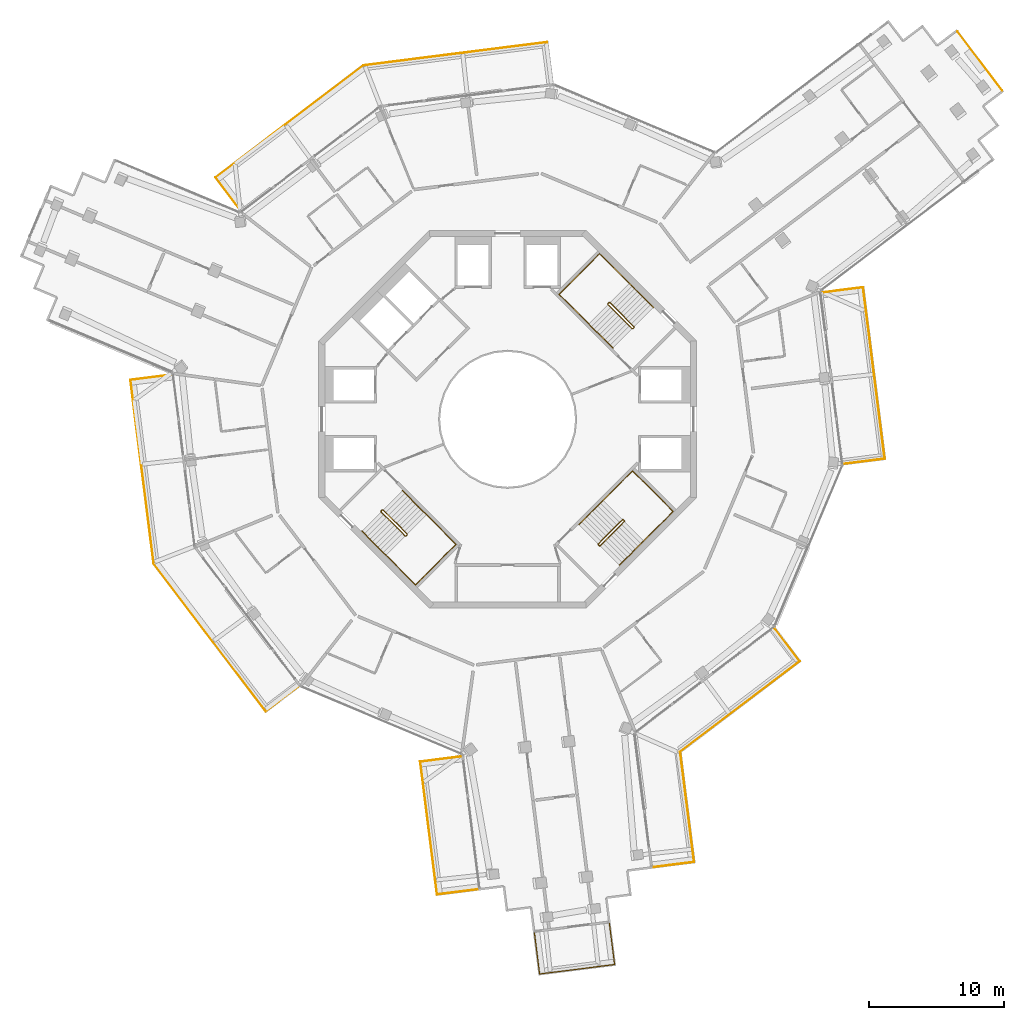
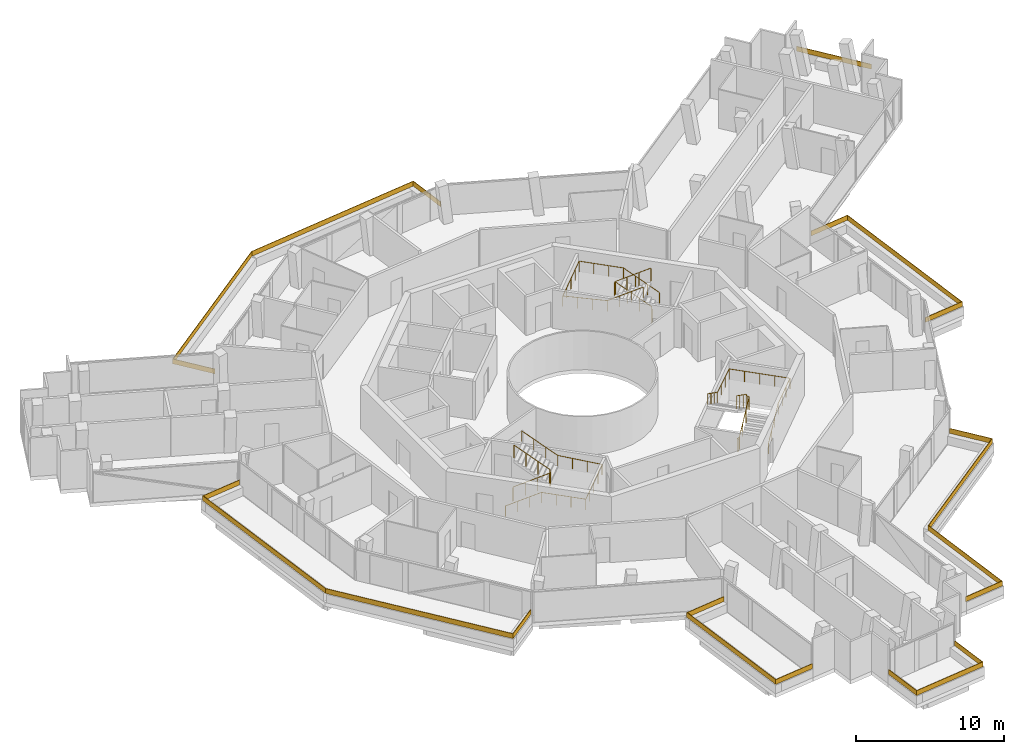
# One storey, part 26 of 26: 13 railings.
"""IFC4 building model written with IfcOpenShell, lengths in metres."""

from ifc_helpers import new_model, si_unit, direction, frame, origin, origin_2d, place, context, subcontext, project, spatial, polyline, rectangle, circle, outline, extrude, material, layer, layer_set, type_object, element, save


model = new_model("IFC4")

# Units and contexts
model_context = context("Model", 3, precision=1e-05, world=origin(), true_north=direction((0.0, 1.0)))
body_context = subcontext(model_context, "Body", "Model", "MODEL_VIEW")
ifc_project = project(units=[si_unit("LENGTHUNIT", "METRE"), si_unit("AREAUNIT", "SQUARE_METRE"), si_unit("VOLUMEUNIT", "CUBIC_METRE"), si_unit("PLANEANGLEUNIT", "RADIAN"), si_unit("MASSUNIT", "GRAM", prefix="KILO")], contexts=[model_context])

# Site, building, storey
site_placement = place(None, origin())
site = spatial("IfcSite", under=ifc_project, at=site_placement, CompositionType="ELEMENT")
building_placement = place(site_placement, origin())
building = spatial("IfcBuilding", under=site, at=building_placement, Name="Verdalira Terraces Hotel", CompositionType="ELEMENT")
storey_placement = place(building_placement, frame((0.0, 0.0, 306.5)))
storey = spatial("IfcBuildingStorey", under=building, at=storey_placement, Name="L76", CompositionType="ELEMENT", Elevation=306.5)

# Railings
ifc_material_1 = material(Name="Laminated glass", Category="glass")
ifc_layer = layer(ifc_material_1, 0.0400390625)
ifc_layer_set = layer_set([ifc_layer], Name="Balcony glass guard 400")
railing_type_1 = type_object("IfcRailingType", Name="Balcony glass guard 400", PredefinedType="GUARDRAIL", material=ifc_layer_set)
railing_1_placement = place(storey_placement, frame((0.0, 0.0, 0.699951)))
element("IfcRailing", 1, at=railing_1_placement, inside=storey, type_object=railing_type_1, Name="Balcony glass guard", PredefinedType="GUARDRAIL", context=body_context, shape_type="SweptSolid", body=[
    extrude(outline(polyline([(-27.922363, 2.90332), (-26.20459, -10.693848), (-17.918457, -21.610596), (-15.46582, -19.749023), (-15.44165, -19.781006), (-17.926025, -21.666748), (-26.24292, -10.709473), (-27.967041, 2.937988), (-24.872559, 3.328857), (-24.867676, 3.289307), (-27.922363, 2.90332)])), origin(), (0.0, 0.0, 1.0), 0.400146),
])
railing_2_placement = place(storey_placement, frame((0.0, 0.0, 0.699951)))
element("IfcRailing", 2, at=railing_2_placement, inside=storey, type_object=railing_type_1, Name="Balcony glass guard", PredefinedType="GUARDRAIL", context=body_context, shape_type="SweptSolid", body=[
    extrude(outline(polyline([(-6.448975, -25.386719), (-5.211182, -35.186523), (-2.15625, -34.800537), (-2.151367, -34.840088), (-5.24585, -35.231201), (-6.493652, -25.352051), (-3.399414, -24.961182), (-3.394287, -25.000977), (-6.448975, -25.386719)])), origin(), (0.0, 0.0, 1.0), 0.400146),
])
railing_3_placement = place(storey_placement, frame((0.0, 0.0, 0.699951)))
element("IfcRailing", 3, at=railing_3_placement, inside=storey, type_object=railing_type_1, Name="Balcony glass guard", PredefinedType="GUARDRAIL", context=body_context, shape_type="SweptSolid", body=[
    extrude(outline(polyline([(2.387695, -41.080566), (7.903809, -40.383789), (7.517822, -37.328857), (7.557617, -37.323975), (7.948486, -40.418457), (2.353027, -41.125244), (1.961914, -38.030762), (2.001709, -38.025879), (2.387695, -41.080566)])), origin(), (0.0, 0.0, 1.0), 0.400146),
])
railing_4_placement = place(storey_placement, frame((0.0, 0.0, 0.699951)))
element("IfcRailing", 4, at=railing_4_placement, inside=storey, type_object=railing_type_1, Name="Balcony glass guard", PredefinedType="GUARDRAIL", context=body_context, shape_type="SweptSolid", body=[
    extrude(outline(polyline([(13.797852, -32.785156), (12.767822, -24.630615), (21.610596, -17.918457), (19.749023, -15.46582), (19.781006, -15.44165), (21.666748, -17.926025), (12.810303, -24.648438), (13.842529, -32.819824), (10.748047, -33.210693), (10.743164, -33.170898), (13.797852, -32.785156)])), origin(), (0.0, 0.0, 1.0), 0.400146),
])
railing_5_placement = place(storey_placement, frame((0.0, 0.0, 0.699951)))
element("IfcRailing", 5, at=railing_5_placement, inside=storey, type_object=railing_type_1, Name="Balcony glass guard", PredefinedType="GUARDRAIL", context=body_context, shape_type="SweptSolid", body=[
    extrude(outline(polyline([(27.922363, -2.90332), (26.323242, 9.756104), (23.268311, 9.370117), (23.263428, 9.409912), (26.35791, 9.800781), (27.967041, -2.937988), (24.872559, -3.328857), (24.867676, -3.289307), (27.922363, -2.90332)])), origin(), (0.0, 0.0, 1.0), 0.400146),
])
railing_6_placement = place(storey_placement, frame((0.0, 0.0, 0.699951)))
element("IfcRailing", 6, at=railing_6_placement, inside=storey, type_object=railing_type_1, Name="Balcony glass guard", PredefinedType="GUARDRAIL", context=body_context, shape_type="SweptSolid", body=[
    extrude(outline(polyline([(2.90332, 27.922363), (-10.693848, 26.20459), (-21.610596, 17.918457), (-19.749023, 15.46582), (-19.781006, 15.44165), (-21.666748, 17.926025), (-10.709473, 26.24292), (2.937988, 27.967041), (3.328857, 24.872559), (3.289307, 24.867676), (2.90332, 27.922363)])), origin(), (0.0, 0.0, 1.0), 0.400146),
])
railing_7_placement = place(storey_placement, frame((34.988281, 26.557617, 0.699951), z_axis=(0.0, 0.0, 1.0), x_axis=(-0.604599115, 0.796529918, 0.0)))
element("IfcRailing", 7, at=railing_7_placement, inside=storey, type_object=railing_type_1, Name="Loggia glass guard", PredefinedType="GUARDRAIL", context=body_context, shape_type="SweptSolid", body=[
    extrude(rectangle(XDim=5.5, YDim=0.040039, at=origin_2d()), origin(), (0.0, 0.0, 1.0), 0.399902),
])
ifc_material_2 = material(Name="Stainless steel", Category="steel")
railing_type_2 = type_object("IfcRailingType", Name="Stair guard 1100", PredefinedType="GUARDRAIL", material=ifc_material_2)
railing_8_placement = place(storey_placement, frame((9.369141, 6.78833, 0.0)))
element("IfcRailing", 8, at=railing_8_placement, inside=storey, type_object=railing_type_2, Name="L76 ST1 stair guard 1", PredefinedType="GUARDRAIL", context=body_context, shape_type="SweptSolid", body=[
    extrude(circle(Radius=0.023926, at=origin_2d()), frame((0.0, 0.0, 1.076172), z_axis=(-0.707106781, -0.707106781, 0.0), x_axis=(0.707106781, -0.707106781, 0.0)), (0.0, 0.0, 1.0), 0.100098),
    extrude(circle(Radius=0.023926, at=origin_2d()), frame((-0.070801, -0.070801, 1.076172), z_axis=(0.300162975, 0.599290904, 0.742127078), x_axis=(-0.894118129, 0.447831187, 0.0)), (0.0, 0.0, 1.0), 0.23584),
    extrude(circle(Radius=0.023926, at=origin_2d()), frame((0.0, 0.070557, 1.250977), z_axis=(-0.599637504, 0.599637504, 0.52997144), x_axis=(-0.707106781, -0.707106781, 0.0)), (0.0, 0.0, 1.0), 2.97168),
    extrude(circle(Radius=0.023926, at=origin_2d()), frame((-1.781982, 1.852539, 2.826172), z_axis=(-1.0, 0.0, 0.0), x_axis=(0.0, -1.0, 0.0)), (0.0, 0.0, 1.0), 0.070557),
    extrude(circle(Radius=0.023926, at=origin_2d()), frame((-1.852539, 1.852539, 2.826172), z_axis=(-0.707106781, -0.707106781, 0.0), x_axis=(0.707106781, -0.707106781, 0.0)), (0.0, 0.0, 1.0), 0.100098),
    extrude(circle(Radius=0.023926, at=origin_2d()), frame((-1.92334, 1.781738, 2.826172), z_axis=(0.0, -0.373842709, 0.927492118), x_axis=(1.0, 0.0, 0.0)), (0.0, 0.0, 1.0), 0.188721),
    extrude(circle(Radius=0.023926, at=origin_2d()), frame((-1.92334, 1.711182, 3.000977), z_axis=(0.599637504, -0.599637504, 0.52997144), x_axis=(0.707106781, 0.707106781, 0.0)), (0.0, 0.0, 1.0), 2.97168),
    extrude(circle(Radius=0.020996, at=origin_2d()), origin(), (0.0, 0.0, 1.0), 1.052002),
    extrude(circle(Radius=0.020996, at=origin_2d()), frame((-0.070801, -0.070801, 0.0)), (0.0, 0.0, 1.0), 1.052002),
    extrude(circle(Radius=0.020996, at=origin_2d()), frame((0.0, 0.070557, 0.175049)), (0.0, 0.0, 1.0), 1.052002),
    extrude(circle(Radius=0.020996, at=origin_2d()), frame((-0.593994, 0.664551, 0.699951)), (0.0, 0.0, 1.0), 1.052002),
    extrude(circle(Radius=0.020996, at=origin_2d()), frame((-1.187988, 1.258545, 1.225098)), (0.0, 0.0, 1.0), 1.052002),
    extrude(circle(Radius=0.020996, at=origin_2d()), frame((-1.781982, 1.852539, 1.75)), (0.0, 0.0, 1.0), 1.052002),
    extrude(circle(Radius=0.020996, at=origin_2d()), frame((-1.852539, 1.852539, 1.75)), (0.0, 0.0, 1.0), 1.052002),
    extrude(circle(Radius=0.020996, at=origin_2d()), frame((-1.92334, 1.781738, 1.75)), (0.0, 0.0, 1.0), 1.052002),
    extrude(circle(Radius=0.020996, at=origin_2d()), frame((-1.92334, 1.711182, 1.925049)), (0.0, 0.0, 1.0), 1.052002),
    extrude(circle(Radius=0.020996, at=origin_2d()), frame((-1.329346, 1.117188, 2.449951)), (0.0, 0.0, 1.0), 1.052002),
    extrude(circle(Radius=0.020996, at=origin_2d()), frame((-0.735352, 0.523193, 2.975098)), (0.0, 0.0, 1.0), 1.052002),
    extrude(circle(Radius=0.020996, at=origin_2d()), frame((-0.141357, -0.070801, 3.5)), (0.0, 0.0, 1.0), 1.052002),
])
railing_9_placement = place(storey_placement, frame((-9.369141, -6.78833, 0.0)))
element("IfcRailing", 9, at=railing_9_placement, inside=storey, type_object=railing_type_2, Name="L76 ST2 stair guard 1", PredefinedType="GUARDRAIL", context=body_context, shape_type="SweptSolid", body=[
    extrude(circle(Radius=0.023926, at=origin_2d()), frame((0.0, 0.0, 1.076172), z_axis=(0.707106781, 0.707106781, 0.0), x_axis=(-0.707106781, 0.707106781, 0.0)), (0.0, 0.0, 1.0), 0.100098),
    extrude(circle(Radius=0.023926, at=origin_2d()), frame((0.070801, 0.070801, 1.076172), z_axis=(-0.300162975, -0.599290904, 0.742127078), x_axis=(0.894118129, -0.447831187, 0.0)), (0.0, 0.0, 1.0), 0.23584),
    extrude(circle(Radius=0.023926, at=origin_2d()), frame((0.0, -0.070557, 1.250977), z_axis=(0.599637504, -0.599637504, 0.52997144), x_axis=(0.707106781, 0.707106781, 0.0)), (0.0, 0.0, 1.0), 2.97168),
    extrude(circle(Radius=0.023926, at=origin_2d()), frame((1.781982, -1.852539, 2.826172), z_axis=(1.0, 0.0, 0.0), x_axis=(0.0, 1.0, 0.0)), (0.0, 0.0, 1.0), 0.070557),
    extrude(circle(Radius=0.023926, at=origin_2d()), frame((1.852539, -1.852539, 2.826172), z_axis=(0.707106781, 0.707106781, 0.0), x_axis=(-0.707106781, 0.707106781, 0.0)), (0.0, 0.0, 1.0), 0.100098),
    extrude(circle(Radius=0.023926, at=origin_2d()), frame((1.92334, -1.781738, 2.826172), z_axis=(0.0, 0.373842709, 0.927492118), x_axis=(-1.0, 0.0, 0.0)), (0.0, 0.0, 1.0), 0.188721),
    extrude(circle(Radius=0.023926, at=origin_2d()), frame((1.92334, -1.711182, 3.000977), z_axis=(-0.599637504, 0.599637504, 0.52997144), x_axis=(-0.707106781, -0.707106781, 0.0)), (0.0, 0.0, 1.0), 2.97168),
    extrude(circle(Radius=0.020996, at=origin_2d()), origin(), (0.0, 0.0, 1.0), 1.052002),
    extrude(circle(Radius=0.020996, at=origin_2d()), frame((0.070801, 0.070801, 0.0)), (0.0, 0.0, 1.0), 1.052002),
    extrude(circle(Radius=0.020996, at=origin_2d()), frame((0.0, -0.070557, 0.175049)), (0.0, 0.0, 1.0), 1.052002),
    extrude(circle(Radius=0.020996, at=origin_2d()), frame((0.593994, -0.664551, 0.699951)), (0.0, 0.0, 1.0), 1.052002),
    extrude(circle(Radius=0.020996, at=origin_2d()), frame((1.187988, -1.258545, 1.225098)), (0.0, 0.0, 1.0), 1.052002),
    extrude(circle(Radius=0.020996, at=origin_2d()), frame((1.781982, -1.852539, 1.75)), (0.0, 0.0, 1.0), 1.052002),
    extrude(circle(Radius=0.020996, at=origin_2d()), frame((1.852539, -1.852539, 1.75)), (0.0, 0.0, 1.0), 1.052002),
    extrude(circle(Radius=0.020996, at=origin_2d()), frame((1.92334, -1.781738, 1.75)), (0.0, 0.0, 1.0), 1.052002),
    extrude(circle(Radius=0.020996, at=origin_2d()), frame((1.92334, -1.711182, 1.925049)), (0.0, 0.0, 1.0), 1.052002),
    extrude(circle(Radius=0.020996, at=origin_2d()), frame((1.329346, -1.117188, 2.449951)), (0.0, 0.0, 1.0), 1.052002),
    extrude(circle(Radius=0.020996, at=origin_2d()), frame((0.735352, -0.523193, 2.975098)), (0.0, 0.0, 1.0), 1.052002),
    extrude(circle(Radius=0.020996, at=origin_2d()), frame((0.141357, 0.070801, 3.5)), (0.0, 0.0, 1.0), 1.052002),
])
railing_10_placement = place(storey_placement, frame((6.78833, -9.369141, 0.0)))
element("IfcRailing", 10, at=railing_10_placement, inside=storey, type_object=railing_type_2, Name="L76 ST3 stair guard 1", PredefinedType="GUARDRAIL", context=body_context, shape_type="SweptSolid", body=[
    extrude(circle(Radius=0.023926, at=origin_2d()), frame((0.0, 0.0, 1.076172), z_axis=(-0.707106781, 0.707106781, 0.0), x_axis=(-0.707106781, -0.707106781, 0.0)), (0.0, 0.0, 1.0), 0.100098),
    extrude(circle(Radius=0.023926, at=origin_2d()), frame((-0.070801, 0.070801, 1.076172), z_axis=(0.599290904, -0.300162975, 0.742127078), x_axis=(0.447831187, 0.894118129, 0.0)), (0.0, 0.0, 1.0), 0.23584),
    extrude(circle(Radius=0.023926, at=origin_2d()), frame((0.070557, 0.0, 1.250977), z_axis=(0.599637504, 0.599637504, 0.52997144), x_axis=(-0.707106781, 0.707106781, 0.0)), (0.0, 0.0, 1.0), 2.97168),
    extrude(circle(Radius=0.023926, at=origin_2d()), frame((1.852539, 1.781982, 2.826172), z_axis=(0.0, 1.0, 0.0), x_axis=(-1.0, 0.0, 0.0)), (0.0, 0.0, 1.0), 0.070557),
    extrude(circle(Radius=0.023926, at=origin_2d()), frame((1.852539, 1.852539, 2.826172), z_axis=(-0.707106781, 0.707106781, 0.0), x_axis=(-0.707106781, -0.707106781, 0.0)), (0.0, 0.0, 1.0), 0.100098),
    extrude(circle(Radius=0.023926, at=origin_2d()), frame((1.781738, 1.92334, 2.826172), z_axis=(-0.373842709, 0.0, 0.927492118), x_axis=(0.0, -1.0, 0.0)), (0.0, 0.0, 1.0), 0.188721),
    extrude(circle(Radius=0.023926, at=origin_2d()), frame((1.711182, 1.92334, 3.000977), z_axis=(-0.599637504, -0.599637504, 0.52997144), x_axis=(0.707106781, -0.707106781, 0.0)), (0.0, 0.0, 1.0), 2.97168),
    extrude(circle(Radius=0.020996, at=origin_2d()), origin(), (0.0, 0.0, 1.0), 1.052002),
    extrude(circle(Radius=0.020996, at=origin_2d()), frame((-0.070801, 0.070801, 0.0)), (0.0, 0.0, 1.0), 1.052002),
    extrude(circle(Radius=0.020996, at=origin_2d()), frame((0.070557, 0.0, 0.175049)), (0.0, 0.0, 1.0), 1.052002),
    extrude(circle(Radius=0.020996, at=origin_2d()), frame((0.664551, 0.593994, 0.699951)), (0.0, 0.0, 1.0), 1.052002),
    extrude(circle(Radius=0.020996, at=origin_2d()), frame((1.258545, 1.187988, 1.225098)), (0.0, 0.0, 1.0), 1.052002),
    extrude(circle(Radius=0.020996, at=origin_2d()), frame((1.852539, 1.781982, 1.75)), (0.0, 0.0, 1.0), 1.052002),
    extrude(circle(Radius=0.020996, at=origin_2d()), frame((1.852539, 1.852539, 1.75)), (0.0, 0.0, 1.0), 1.052002),
    extrude(circle(Radius=0.020996, at=origin_2d()), frame((1.781738, 1.92334, 1.75)), (0.0, 0.0, 1.0), 1.052002),
    extrude(circle(Radius=0.020996, at=origin_2d()), frame((1.711182, 1.92334, 1.925049)), (0.0, 0.0, 1.0), 1.052002),
    extrude(circle(Radius=0.020996, at=origin_2d()), frame((1.117188, 1.329346, 2.449951)), (0.0, 0.0, 1.0), 1.052002),
    extrude(circle(Radius=0.020996, at=origin_2d()), frame((0.523193, 0.735352, 2.975098)), (0.0, 0.0, 1.0), 1.052002),
    extrude(circle(Radius=0.020996, at=origin_2d()), frame((-0.070801, 0.141357, 3.5)), (0.0, 0.0, 1.0), 1.052002),
])
ifc_material_3 = material(Name="Stainless steel", Category="steel")
railing_type_3 = type_object("IfcRailingType", Name="Stair handrail 900", PredefinedType="HANDRAIL", material=ifc_material_3)
railing_11_placement = place(storey_placement, frame((10.801025, 8.290771, 0.175049)))
element("IfcRailing", 11, at=railing_11_placement, inside=storey, type_object=railing_type_3, Name="L76 ST1 stair handrail 1", PredefinedType="HANDRAIL", context=body_context, shape_type="SweptSolid", body=[
    extrude(circle(Radius=0.023926, at=origin_2d()), frame((0.0, 0.0, 0.875977), z_axis=(-0.599637504, 0.599637504, 0.52997144), x_axis=(-0.707106781, -0.707106781, 0.0)), (0.0, 0.0, 1.0), 2.97168),
    extrude(circle(Radius=0.023926, at=origin_2d()), frame((-1.781982, 1.781982, 2.450684), z_axis=(-0.707106781, 0.707106781, 0.0), x_axis=(-0.707106781, -0.707106781, 0.0)), (0.0, 0.0, 1.0), 3.10498),
    extrude(circle(Radius=0.023926, at=origin_2d()), frame((-3.977539, 3.977539, 2.450684), z_axis=(-0.707106781, -0.707106781, 0.0), x_axis=(0.707106781, -0.707106781, 0.0)), (0.0, 0.0, 1.0), 4.25),
    extrude(circle(Radius=0.023926, at=origin_2d()), frame((-6.982666, 0.972412, 2.450684), z_axis=(0.705985743, -0.705985743, 0.05628731), x_axis=(0.707106781, 0.707106781, 0.0)), (0.0, 0.0, 1.0), 3.109863),
    extrude(circle(Radius=0.023926, at=origin_2d()), frame((-4.787109, -1.223145, 2.625977), z_axis=(0.599637504, -0.599637504, 0.52997144), x_axis=(0.707106781, 0.707106781, 0.0)), (0.0, 0.0, 1.0), 2.97168),
    extrude(circle(Radius=0.020996, at=origin_2d()), origin(), (0.0, 0.0, 1.0), 0.851807),
    extrude(circle(Radius=0.020996, at=origin_2d()), frame((-0.593994, 0.593994, 0.524902)), (0.0, 0.0, 1.0), 0.851807),
    extrude(circle(Radius=0.020996, at=origin_2d()), frame((-1.187988, 1.187988, 1.050049)), (0.0, 0.0, 1.0), 0.851807),
    extrude(circle(Radius=0.020996, at=origin_2d()), frame((-1.781982, 1.781982, 1.574951)), (0.0, 0.0, 1.0), 0.851807),
    extrude(circle(Radius=0.020996, at=origin_2d()), frame((-2.513916, 2.513916, 1.574951)), (0.0, 0.0, 1.0), 0.851807),
    extrude(circle(Radius=0.020996, at=origin_2d()), frame((-3.245605, 3.245605, 1.574951)), (0.0, 0.0, 1.0), 0.851807),
    extrude(circle(Radius=0.020996, at=origin_2d()), frame((-3.977539, 3.977539, 1.574951)), (0.0, 0.0, 1.0), 0.851807),
    extrude(circle(Radius=0.020996, at=origin_2d()), frame((-4.72876, 3.226318, 1.574951)), (0.0, 0.0, 1.0), 0.851807),
    extrude(circle(Radius=0.020996, at=origin_2d()), frame((-5.47998, 2.475098, 1.574951)), (0.0, 0.0, 1.0), 0.851807),
    extrude(circle(Radius=0.020996, at=origin_2d()), frame((-6.231445, 1.723633, 1.574951)), (0.0, 0.0, 1.0), 0.851807),
    extrude(circle(Radius=0.020996, at=origin_2d()), frame((-6.982666, 0.972412, 1.574951)), (0.0, 0.0, 1.0), 0.851807),
    extrude(circle(Radius=0.020996, at=origin_2d()), frame((-6.250732, 0.240479, 1.633301)), (0.0, 0.0, 1.0), 0.851807),
    extrude(circle(Radius=0.020996, at=origin_2d()), frame((-5.519043, -0.491211, 1.69165)), (0.0, 0.0, 1.0), 0.851807),
    extrude(circle(Radius=0.020996, at=origin_2d()), frame((-4.787109, -1.223145, 1.75)), (0.0, 0.0, 1.0), 0.851807),
    extrude(circle(Radius=0.020996, at=origin_2d()), frame((-4.193115, -1.817139, 2.274902)), (0.0, 0.0, 1.0), 0.851807),
    extrude(circle(Radius=0.020996, at=origin_2d()), frame((-3.599121, -2.411133, 2.800049)), (0.0, 0.0, 1.0), 0.851807),
    extrude(circle(Radius=0.020996, at=origin_2d()), frame((-3.005127, -3.005127, 3.324951)), (0.0, 0.0, 1.0), 0.851807),
])
railing_12_placement = place(storey_placement, frame((-10.801025, -8.290771, 0.175049)))
element("IfcRailing", 12, at=railing_12_placement, inside=storey, type_object=railing_type_3, Name="L76 ST2 stair handrail 1", PredefinedType="HANDRAIL", context=body_context, shape_type="SweptSolid", body=[
    extrude(circle(Radius=0.023926, at=origin_2d()), frame((0.0, 0.0, 0.875977), z_axis=(0.599637504, -0.599637504, 0.52997144), x_axis=(0.707106781, 0.707106781, 0.0)), (0.0, 0.0, 1.0), 2.97168),
    extrude(circle(Radius=0.023926, at=origin_2d()), frame((1.781982, -1.781982, 2.450684), z_axis=(0.707106781, -0.707106781, 0.0), x_axis=(0.707106781, 0.707106781, 0.0)), (0.0, 0.0, 1.0), 3.10498),
    extrude(circle(Radius=0.023926, at=origin_2d()), frame((3.977539, -3.977539, 2.450684), z_axis=(0.707106781, 0.707106781, 0.0), x_axis=(-0.707106781, 0.707106781, 0.0)), (0.0, 0.0, 1.0), 4.25),
    extrude(circle(Radius=0.023926, at=origin_2d()), frame((6.982666, -0.972412, 2.450684), z_axis=(-0.705985743, 0.705985743, 0.05628731), x_axis=(-0.707106781, -0.707106781, 0.0)), (0.0, 0.0, 1.0), 3.109863),
    extrude(circle(Radius=0.023926, at=origin_2d()), frame((4.787109, 1.223145, 2.625977), z_axis=(-0.599637504, 0.599637504, 0.52997144), x_axis=(-0.707106781, -0.707106781, 0.0)), (0.0, 0.0, 1.0), 2.97168),
    extrude(circle(Radius=0.020996, at=origin_2d()), origin(), (0.0, 0.0, 1.0), 0.851807),
    extrude(circle(Radius=0.020996, at=origin_2d()), frame((0.593994, -0.593994, 0.524902)), (0.0, 0.0, 1.0), 0.851807),
    extrude(circle(Radius=0.020996, at=origin_2d()), frame((1.187988, -1.187988, 1.050049)), (0.0, 0.0, 1.0), 0.851807),
    extrude(circle(Radius=0.020996, at=origin_2d()), frame((1.781982, -1.781982, 1.574951)), (0.0, 0.0, 1.0), 0.851807),
    extrude(circle(Radius=0.020996, at=origin_2d()), frame((2.513916, -2.513916, 1.574951)), (0.0, 0.0, 1.0), 0.851807),
    extrude(circle(Radius=0.020996, at=origin_2d()), frame((3.245605, -3.245605, 1.574951)), (0.0, 0.0, 1.0), 0.851807),
    extrude(circle(Radius=0.020996, at=origin_2d()), frame((3.977539, -3.977539, 1.574951)), (0.0, 0.0, 1.0), 0.851807),
    extrude(circle(Radius=0.020996, at=origin_2d()), frame((4.72876, -3.226318, 1.574951)), (0.0, 0.0, 1.0), 0.851807),
    extrude(circle(Radius=0.020996, at=origin_2d()), frame((5.47998, -2.475098, 1.574951)), (0.0, 0.0, 1.0), 0.851807),
    extrude(circle(Radius=0.020996, at=origin_2d()), frame((6.231445, -1.723633, 1.574951)), (0.0, 0.0, 1.0), 0.851807),
    extrude(circle(Radius=0.020996, at=origin_2d()), frame((6.982666, -0.972412, 1.574951)), (0.0, 0.0, 1.0), 0.851807),
    extrude(circle(Radius=0.020996, at=origin_2d()), frame((6.250732, -0.240479, 1.633301)), (0.0, 0.0, 1.0), 0.851807),
    extrude(circle(Radius=0.020996, at=origin_2d()), frame((5.519043, 0.491211, 1.69165)), (0.0, 0.0, 1.0), 0.851807),
    extrude(circle(Radius=0.020996, at=origin_2d()), frame((4.787109, 1.223145, 1.75)), (0.0, 0.0, 1.0), 0.851807),
    extrude(circle(Radius=0.020996, at=origin_2d()), frame((4.193115, 1.817139, 2.274902)), (0.0, 0.0, 1.0), 0.851807),
    extrude(circle(Radius=0.020996, at=origin_2d()), frame((3.599121, 2.411133, 2.800049)), (0.0, 0.0, 1.0), 0.851807),
    extrude(circle(Radius=0.020996, at=origin_2d()), frame((3.005127, 3.005127, 3.324951)), (0.0, 0.0, 1.0), 0.851807),
])
railing_13_placement = place(storey_placement, frame((8.290771, -10.801025, 0.175049)))
element("IfcRailing", 13, at=railing_13_placement, inside=storey, type_object=railing_type_3, Name="L76 ST3 stair handrail 1", PredefinedType="HANDRAIL", context=body_context, shape_type="SweptSolid", body=[
    extrude(circle(Radius=0.023926, at=origin_2d()), frame((0.0, 0.0, 0.875977), z_axis=(0.599637504, 0.599637504, 0.52997144), x_axis=(-0.707106781, 0.707106781, 0.0)), (0.0, 0.0, 1.0), 2.97168),
    extrude(circle(Radius=0.023926, at=origin_2d()), frame((1.781982, 1.781982, 2.450684), z_axis=(0.707106781, 0.707106781, 0.0), x_axis=(-0.707106781, 0.707106781, 0.0)), (0.0, 0.0, 1.0), 3.10498),
    extrude(circle(Radius=0.023926, at=origin_2d()), frame((3.977539, 3.977539, 2.450684), z_axis=(-0.707106781, 0.707106781, 0.0), x_axis=(-0.707106781, -0.707106781, 0.0)), (0.0, 0.0, 1.0), 4.25),
    extrude(circle(Radius=0.023926, at=origin_2d()), frame((0.972412, 6.982666, 2.450684), z_axis=(-0.705985743, -0.705985743, 0.05628731), x_axis=(0.707106781, -0.707106781, 0.0)), (0.0, 0.0, 1.0), 3.109863),
    extrude(circle(Radius=0.023926, at=origin_2d()), frame((-1.223145, 4.787109, 2.625977), z_axis=(-0.599637504, -0.599637504, 0.52997144), x_axis=(0.707106781, -0.707106781, 0.0)), (0.0, 0.0, 1.0), 2.97168),
    extrude(circle(Radius=0.020996, at=origin_2d()), origin(), (0.0, 0.0, 1.0), 0.851807),
    extrude(circle(Radius=0.020996, at=origin_2d()), frame((0.593994, 0.593994, 0.524902)), (0.0, 0.0, 1.0), 0.851807),
    extrude(circle(Radius=0.020996, at=origin_2d()), frame((1.187988, 1.187988, 1.050049)), (0.0, 0.0, 1.0), 0.851807),
    extrude(circle(Radius=0.020996, at=origin_2d()), frame((1.781982, 1.781982, 1.574951)), (0.0, 0.0, 1.0), 0.851807),
    extrude(circle(Radius=0.020996, at=origin_2d()), frame((2.513916, 2.513916, 1.574951)), (0.0, 0.0, 1.0), 0.851807),
    extrude(circle(Radius=0.020996, at=origin_2d()), frame((3.245605, 3.245605, 1.574951)), (0.0, 0.0, 1.0), 0.851807),
    extrude(circle(Radius=0.020996, at=origin_2d()), frame((3.977539, 3.977539, 1.574951)), (0.0, 0.0, 1.0), 0.851807),
    extrude(circle(Radius=0.020996, at=origin_2d()), frame((3.226318, 4.72876, 1.574951)), (0.0, 0.0, 1.0), 0.851807),
    extrude(circle(Radius=0.020996, at=origin_2d()), frame((2.475098, 5.47998, 1.574951)), (0.0, 0.0, 1.0), 0.851807),
    extrude(circle(Radius=0.020996, at=origin_2d()), frame((1.723633, 6.231445, 1.574951)), (0.0, 0.0, 1.0), 0.851807),
    extrude(circle(Radius=0.020996, at=origin_2d()), frame((0.972412, 6.982666, 1.574951)), (0.0, 0.0, 1.0), 0.851807),
    extrude(circle(Radius=0.020996, at=origin_2d()), frame((0.240479, 6.250732, 1.633301)), (0.0, 0.0, 1.0), 0.851807),
    extrude(circle(Radius=0.020996, at=origin_2d()), frame((-0.491211, 5.519043, 1.69165)), (0.0, 0.0, 1.0), 0.851807),
    extrude(circle(Radius=0.020996, at=origin_2d()), frame((-1.223145, 4.787109, 1.75)), (0.0, 0.0, 1.0), 0.851807),
    extrude(circle(Radius=0.020996, at=origin_2d()), frame((-1.817139, 4.193115, 2.274902)), (0.0, 0.0, 1.0), 0.851807),
    extrude(circle(Radius=0.020996, at=origin_2d()), frame((-2.411133, 3.599121, 2.800049)), (0.0, 0.0, 1.0), 0.851807),
    extrude(circle(Radius=0.020996, at=origin_2d()), frame((-3.005127, 3.005127, 3.324951)), (0.0, 0.0, 1.0), 0.851807),
])

save(model, "model.ifc")
